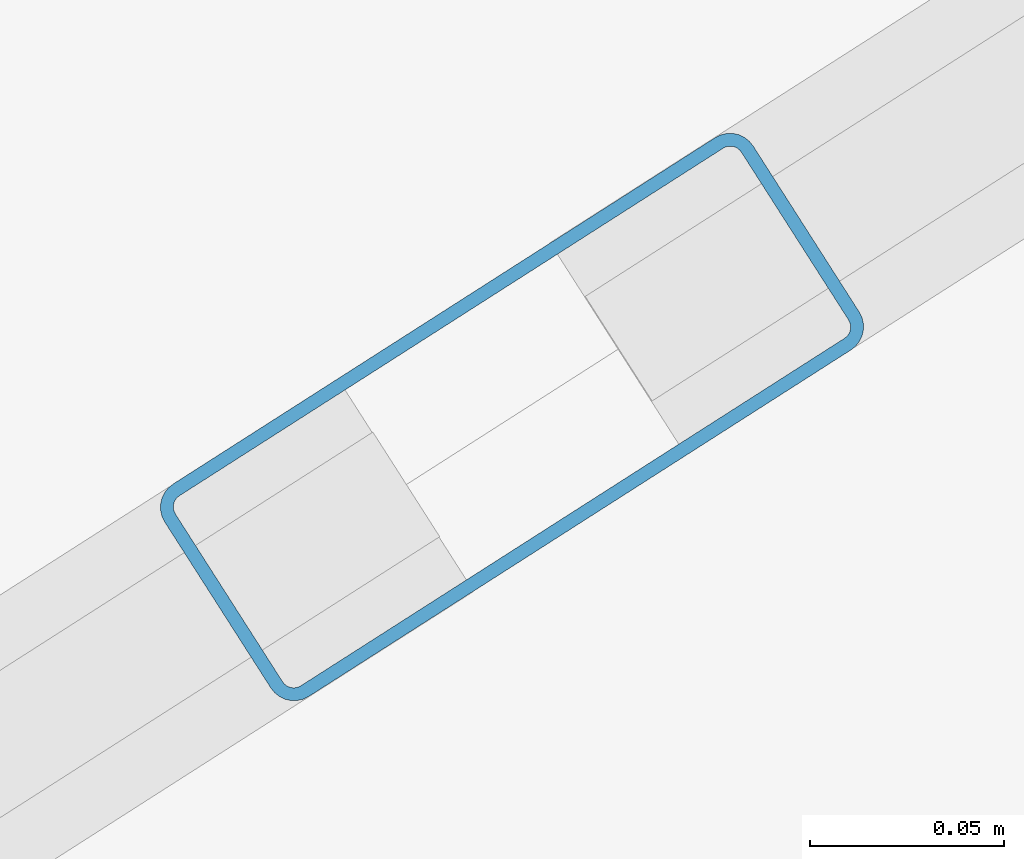
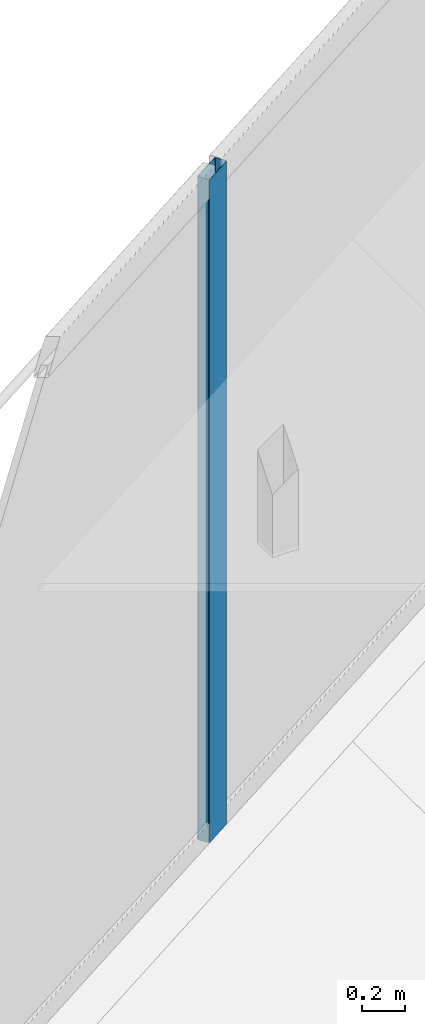
# One storey, part 15 of 33: 1 member, 1 element without a shape of its own.
"""IFC4 building model written with IfcOpenShell, lengths in metres."""

from ifc_helpers import new_model, si_unit, direction, frame, origin, origin_2d, place, context, subcontext, project, spatial, hollow_rectangle, extrude, material, layer, layer_set, material_profile, profile_set, type_object, element, aggregate, save


model = new_model("IFC4")

# Units and contexts
model_context = context("Model", 3, precision=1e-05, world=origin(), true_north=direction((0.0, 1.0)))
body_context = subcontext(model_context, "Body", "Model", "MODEL_VIEW")
ifc_project = project(units=[si_unit("LENGTHUNIT", "METRE"), si_unit("AREAUNIT", "SQUARE_METRE"), si_unit("VOLUMEUNIT", "CUBIC_METRE"), si_unit("PLANEANGLEUNIT", "RADIAN"), si_unit("MASSUNIT", "GRAM", prefix="KILO")], contexts=[model_context])

# Site, building, storey
site_placement = place(None, origin())
site = spatial("IfcSite", under=ifc_project, at=site_placement, CompositionType="ELEMENT")
building_placement = place(site_placement, origin())
building = spatial("IfcBuilding", under=site, at=building_placement, Name="Qorvath Tower", CompositionType="ELEMENT")
storey_placement = place(building_placement, frame((0.0, 0.0, 209.10009765625)))
storey = spatial("IfcBuildingStorey", under=building, at=storey_placement, Name="L48", CompositionType="ELEMENT", Elevation=209.10009765625)

# Curtain wall, member
ifc_material_1 = material(Name="Anodised aluminium and triple low-E glass", Category="aluminium")
ifc_layer = layer(ifc_material_1, 0.179931640625)
ifc_layer_set = layer_set([ifc_layer], Name="CW-SYS-3")
curtain_wall_type = type_object("IfcCurtainWallType", Name="CW-SYS-3", PredefinedType="NOTDEFINED", material=ifc_layer_set)
curtain_wall_placement = place(storey_placement, origin())
curtain_wall = element("IfcCurtainWall", 1, at=curtain_wall_placement, inside=storey, type_object=curtain_wall_type, Name="Curtain Wall CW-3 CW-T-L48-16.1", PredefinedType="NOTDEFINED")
ifc_material_2 = material(Name="Anodised aluminium 6063-T6", Category="aluminium")
ifc_material_profile = material_profile(ifc_material_2, hollow_rectangle(XDim=0.06494140625, YDim=0.179931640625, WallThickness=0.00341796875, InnerFilletRadius=0.00341796875, OuterFilletRadius=0.007080078125, at=origin_2d()), Name="CWM 180x65")
ifc_profile_set = profile_set([ifc_material_profile], Name="Anodised aluminium 6063-T6")
member_type = type_object("IfcMemberType", Name="CWM-180", PredefinedType="MULLION", material=ifc_profile_set)
member_placement = place(storey_placement, frame((-39.38427734375, 12.441650390625, 0.0), z_axis=(0.0, 0.0, 1.0), x_axis=(0.538532455845, -0.842604767374, 0.0)))
member = element("IfcMember", 2, at=member_placement, type_object=member_type, Name="CW-3 mullion 6", PredefinedType="MULLION", context=body_context, shape_type="SweptSolid", body=[
    extrude(hollow_rectangle(XDim=0.06494140625, YDim=0.179931640625, WallThickness=0.00341796875, InnerFilletRadius=0.00341796875, OuterFilletRadius=0.007080078125, at=origin_2d()), origin(), (0.0, 0.0, 1.0), 3.77978515625),
])
aggregate(curtain_wall, [member])

save(model, "model.ifc")
